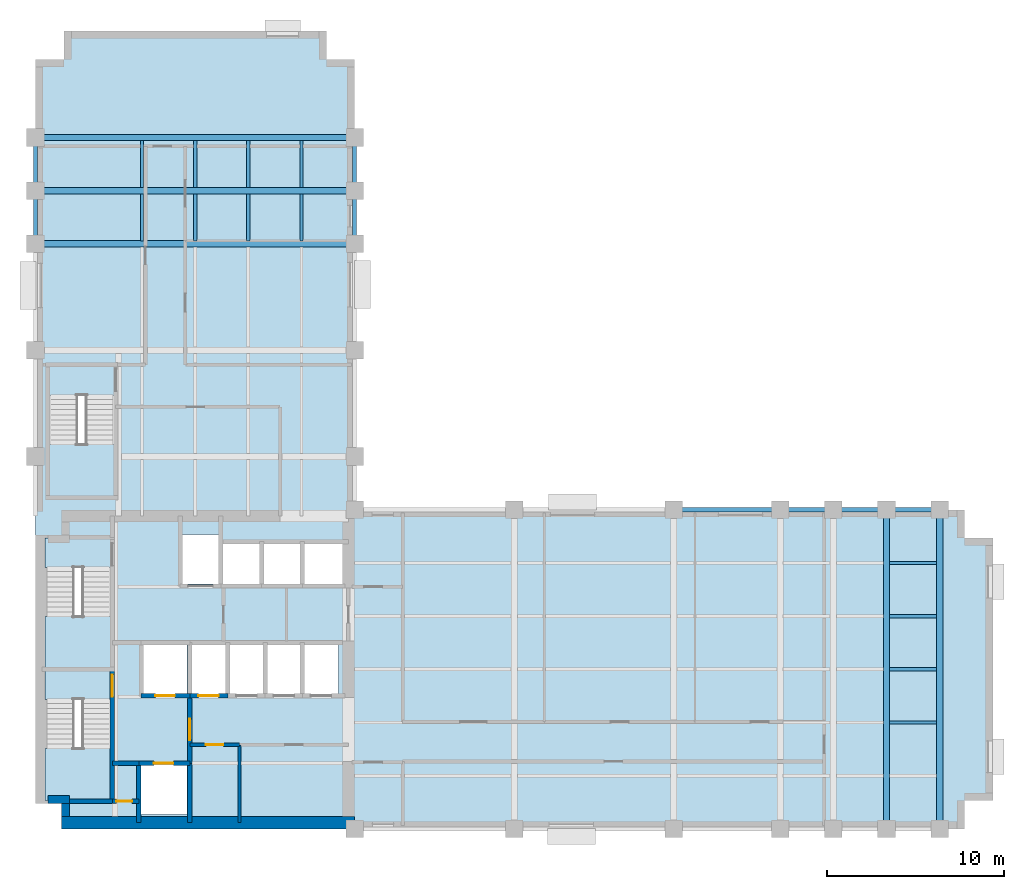
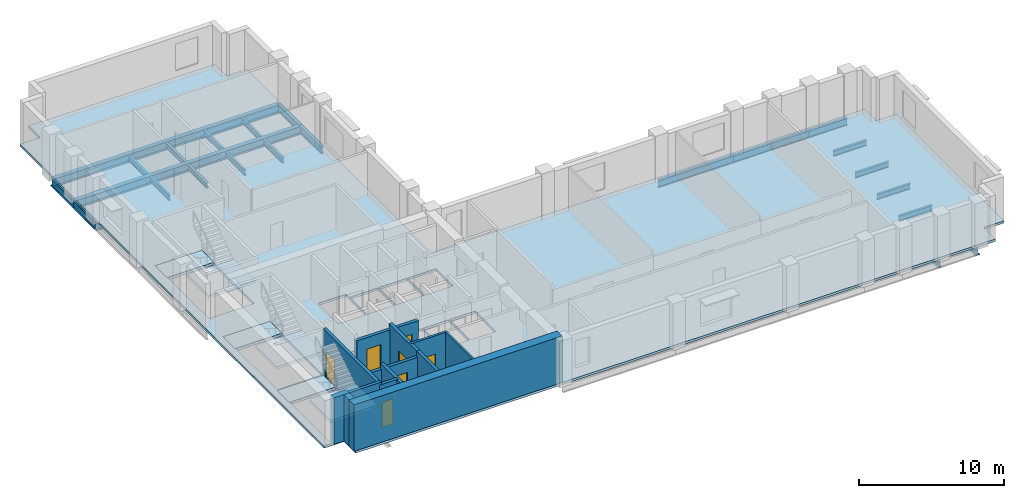
# One storey, part 2 of 8: 25 beams, 15 walls, 7 doors, 7 slabs, 7 openings, 3 elements without a shape of their own.
"""IFC4 building model written with IfcOpenShell, lengths in metres."""

from ifc_helpers import new_model, si_unit, direction, frame, frame_2d, origin, origin_2d, place, context, subcontext, project, spatial, polyline, rectangle, i_section, outline, extrude, material, layer, layer_set, material_profile, profile_set, type_object, element, fill, aggregate, save


model = new_model("IFC4")

# Units and contexts
model_context = context("Model", 3, precision=1e-05, world=origin(), true_north=direction((0.0, 1.0)))
body_context = subcontext(model_context, "Body", "Model", "MODEL_VIEW")
ifc_project = project(units=[si_unit("LENGTHUNIT", "METRE"), si_unit("AREAUNIT", "SQUARE_METRE"), si_unit("VOLUMEUNIT", "CUBIC_METRE"), si_unit("PLANEANGLEUNIT", "RADIAN"), si_unit("MASSUNIT", "GRAM", prefix="KILO")], contexts=[model_context])

# Site, building, storey
site_placement = place(None, origin())
site = spatial("IfcSite", under=ifc_project, at=site_placement, CompositionType="ELEMENT")
building_placement = place(site_placement, origin())
building = spatial("IfcBuilding", under=site, at=building_placement, Name="Mawjdan Bourse Tower", CompositionType="ELEMENT")
storey_placement = place(building_placement, frame((0.0, 0.0, 144.0)))
storey = spatial("IfcBuildingStorey", under=building, at=storey_placement, Name="L34", CompositionType="ELEMENT", Elevation=144.0)

# Beams
ifc_material_1 = material(Name="Structural Steel S355", Category="steel")
ifc_material_profile_1 = material_profile(ifc_material_1, i_section(OverallWidth=0.35498046875, OverallDepth=0.696044921875, WebThickness=0.015380859375, FlangeThickness=0.02490234375, FilletRadius=0.019775390625, at=origin_2d()), Name="W27X146")
ifc_profile_set_1 = profile_set([ifc_material_profile_1], Name="Structural Steel S355")
beam_type_1 = type_object("IfcBeamType", Name="GRD-W27X146", PredefinedType="BEAM", material=ifc_profile_set_1)
for number, where, z_axis, x_axis, name in (
    (1, (54.0, 3.0, -0.548095703125), (0.0, 1.0, 0.0), (-1.0, 0.0, 0.0), "L34 East Wing Clear-Span Girder 006"),
    (2, (57.0, 3.0, -0.548095703125), (0.0, 1.0, 0.0), (-1.0, 0.0, 0.0), "L34 East Wing Clear-Span Girder 007"),
    (3, (6.0, 36.0, -0.548095703125), (1.0, 0.0, 0.0), (0.0, 1.0, 0.0), "L34 North Wing Clear-Span Girder 057"),
    (4, (6.0, 39.0, -0.548095703125), (1.0, 0.0, 0.0), (0.0, 1.0, 0.0), "L34 North Wing Clear-Span Girder 058"),
    (5, (6.0, 42.0, -0.548095703125), (1.0, 0.0, 0.0), (0.0, 1.0, 0.0), "L34 North Wing Clear-Span Girder 059"),
):
    element("IfcBeam", number, at=place(storey_placement, frame(where, z_axis=z_axis, x_axis=x_axis)), inside=storey, type_object=beam_type_1, Name=name, PredefinedType="BEAM", context=body_context, shape_type="SweptSolid", body=[
        extrude(i_section(OverallWidth=0.35498046875, OverallDepth=0.696044921875, WebThickness=0.015380859375, FlangeThickness=0.02490234375, FilletRadius=0.019775390625, at=origin_2d()), origin(), (0.0, 0.0, 1.0), 18.0),
    ])
ifc_material_profile_2 = material_profile(ifc_material_1, i_section(OverallWidth=0.18994140625, OverallDepth=0.45703125, WebThickness=0.009033203125, FlangeThickness=0.014404296875, FilletRadius=0.01171875, at=origin_2d()), Name="W18X50")
ifc_profile_set_2 = profile_set([ifc_material_profile_2], Name="Structural Steel S355")
beam_type_2 = type_object("IfcBeamType", Name="JST-W18X50", PredefinedType="JOIST", material=ifc_profile_set_2)
for number, where, z_axis, x_axis, name in (
    (6, (54.175537109375, 9.0, -0.428466796875), (1.0, 0.0, 0.0), (0.0, 1.0, 0.0), "L34 East Wing Composite Joist 031"),
    (7, (54.175537109375, 12.0, -0.428466796875), (1.0, 0.0, 0.0), (0.0, 1.0, 0.0), "L34 East Wing Composite Joist 037"),
    (8, (54.175537109375, 15.0, -0.428466796875), (1.0, 0.0, 0.0), (0.0, 1.0, 0.0), "L34 East Wing Composite Joist 043"),
    (9, (54.175537109375, 18.0, -0.428466796875), (1.0, 0.0, 0.0), (0.0, 1.0, 0.0), "L34 East Wing Composite Joist 049"),
    (10, (12.0, 36.175537109375, -0.428466796875), (0.0, 1.0, 0.0), (-1.0, 0.0, 0.0), "L34 North Wing Composite Joist 073"),
    (11, (12.0, 39.175537109375, -0.428466796875), (0.0, 1.0, 0.0), (-1.0, 0.0, 0.0), "L34 North Wing Composite Joist 074"),
    (12, (15.0, 36.175537109375, -0.428466796875), (0.0, 1.0, 0.0), (-1.0, 0.0, 0.0), "L34 North Wing Composite Joist 078"),
    (13, (15.0, 39.175537109375, -0.428466796875), (0.0, 1.0, 0.0), (-1.0, 0.0, 0.0), "L34 North Wing Composite Joist 079"),
    (14, (18.0, 36.175537109375, -0.428466796875), (0.0, 1.0, 0.0), (-1.0, 0.0, 0.0), "L34 North Wing Composite Joist 083"),
    (15, (18.0, 39.175537109375, -0.428466796875), (0.0, 1.0, 0.0), (-1.0, 0.0, 0.0), "L34 North Wing Composite Joist 084"),
    (16, (21.0, 36.175537109375, -0.428466796875), (0.0, 1.0, 0.0), (-1.0, 0.0, 0.0), "L34 North Wing Composite Joist 088"),
    (17, (21.0, 39.175537109375, -0.428466796875), (0.0, 1.0, 0.0), (-1.0, 0.0, 0.0), "L34 North Wing Composite Joist 089"),
):
    element("IfcBeam", number, at=place(storey_placement, frame(where, z_axis=z_axis, x_axis=x_axis)), inside=storey, type_object=beam_type_2, Name=name, PredefinedType="JOIST", context=body_context, shape_type="SweptSolid", body=[
        extrude(i_section(OverallWidth=0.18994140625, OverallDepth=0.45703125, WebThickness=0.009033203125, FlangeThickness=0.014404296875, FilletRadius=0.01171875, at=origin_2d()), origin(), (0.0, 0.0, 1.0), 2.64892578125),
    ])
ifc_material_profile_3 = material_profile(ifc_material_1, i_section(OverallWidth=0.22998046875, OverallDepth=0.616943359375, WebThickness=0.01318359375, FlangeThickness=0.022216796875, FilletRadius=0.017822265625, at=origin_2d()), Name="W24X94")
ifc_profile_set_3 = profile_set([ifc_material_profile_3], Name="Structural Steel S355")
beam_type_3 = type_object("IfcBeamType", Name="SPN-W24X94", PredefinedType="SPANDREL", material=ifc_profile_set_3)
beam_placement = place(storey_placement, frame((42.0, 21.0, -0.508544921875), z_axis=(1.0, 0.0, 0.0), x_axis=(0.0, 1.0, 0.0)))
element("IfcBeam", 18, at=beam_placement, inside=storey, type_object=beam_type_3, Name="L34 Perimeter Masonry-Shelf Spandrel 016", PredefinedType="SPANDREL", context=body_context, shape_type="SweptSolid", body=[
    extrude(i_section(OverallWidth=0.22998046875, OverallDepth=0.616943359375, WebThickness=0.01318359375, FlangeThickness=0.022216796875, FilletRadius=0.017822265625, at=origin_2d()), origin(), (0.0, 0.0, 1.0), 6.0),
])
for number, where, z_axis, x_axis, name in (
    (19, (48.0, 21.0, -0.508544921875), (1.0, 0.0, 0.0), (0.0, 1.0, 0.0), "L34 Perimeter Masonry-Shelf Spandrel 017"),
    (20, (51.0, 21.0, -0.508544921875), (1.0, 0.0, 0.0), (0.0, 1.0, 0.0), "L34 Perimeter Masonry-Shelf Spandrel 018"),
    (21, (54.0, 21.0, -0.508544921875), (1.0, 0.0, 0.0), (0.0, 1.0, 0.0), "L34 Perimeter Masonry-Shelf Spandrel 019"),
    (22, (6.0, 36.0, -0.508544921875), (0.0, 1.0, 0.0), (-1.0, 0.0, 0.0), "L34 North Wing Spandrel 063"),
    (23, (6.0, 39.0, -0.508544921875), (0.0, 1.0, 0.0), (-1.0, 0.0, 0.0), "L34 North Wing Spandrel 064"),
    (24, (24.0, 36.0, -0.508544921875), (0.0, 1.0, 0.0), (-1.0, 0.0, 0.0), "L34 North Wing Spandrel 068"),
    (25, (24.0, 39.0, -0.508544921875), (0.0, 1.0, 0.0), (-1.0, 0.0, 0.0), "L34 North Wing Spandrel 069"),
):
    element("IfcBeam", number, at=place(storey_placement, frame(where, z_axis=z_axis, x_axis=x_axis)), inside=storey, type_object=beam_type_3, Name=name, PredefinedType="SPANDREL", context=body_context, shape_type="SweptSolid", body=[
        extrude(i_section(OverallWidth=0.22998046875, OverallDepth=0.616943359375, WebThickness=0.01318359375, FlangeThickness=0.022216796875, FilletRadius=0.017822265625, at=origin_2d()), origin(), (0.0, 0.0, 1.0), 3.0),
    ])

# Stair, slabs
ifc_material_2 = material(Name="Concrete C50/60", Category="concrete")
stair_type = type_object("IfcStairType", Name="STR-CORE-1500", PredefinedType="HALF_TURN_STAIR", material=ifc_material_2)
stair_1_placement = place(storey_placement, origin())
stair_1 = element("IfcStair", 26, at=stair_1_placement, inside=storey, type_object=stair_type, Name="L34 Exit Stair 1 (Core South-West)", PredefinedType="HALF_TURN_STAIR")
ifc_layer_1 = layer(ifc_material_2, 0.22998046875)
ifc_layer_set_1 = layer_set([ifc_layer_1], Name="Concrete C50/60")
slab_type_1 = type_object("IfcSlabType", Name="SL-LND-230", PredefinedType="LANDING", material=ifc_layer_set_1)
slab_1_placement = place(storey_placement, frame((0.0, 0.0, -0.22998046875)))
slab_1 = element("IfcSlab", 27, at=slab_1_placement, type_object=slab_type_1, Name="ST1-L34 landing 1", PredefinedType="LANDING", context=body_context, shape_type="SweptSolid", body=[
    extrude(outline(polyline([(6.5400390625, 10.31005859375), (10.260009765625, 10.31005859375), (10.260009765625, 11.969970703125), (6.5400390625, 11.969970703125), (6.5400390625, 10.31005859375)])), origin(), (0.0, 0.0, 1.0), 0.22998046875),
])
slab_2_placement = place(storey_placement, frame((0.0, 0.0, 1.719970703125)))
slab_2 = element("IfcSlab", 28, at=slab_2_placement, type_object=slab_type_1, Name="ST1-L34 landing 2", PredefinedType="LANDING", context=body_context, shape_type="SweptSolid", body=[
    extrude(outline(polyline([(6.5400390625, 4.590087890625), (10.260009765625, 4.590087890625), (10.260009765625, 7.5400390625), (6.5400390625, 7.5400390625), (6.5400390625, 4.590087890625)])), origin(), (0.0, 0.0, 1.0), 0.22998046875),
])
aggregate(stair_1, [slab_1, slab_2])

stair_2_placement = place(storey_placement, origin())
stair_2 = element("IfcStair", 29, at=stair_2_placement, inside=storey, type_object=stair_type, Name="L34 Exit Stair 2 (Core North-West)", PredefinedType="HALF_TURN_STAIR")
slab_3_placement = place(storey_placement, frame((0.0, 0.0, -0.22998046875)))
slab_3 = element("IfcSlab", 30, at=slab_3_placement, type_object=slab_type_1, Name="ST2-L34 landing 1", PredefinedType="LANDING", context=body_context, shape_type="SweptSolid", body=[
    extrude(outline(polyline([(6.5400390625, 17.75), (10.260009765625, 17.75), (10.260009765625, 19.409912109375), (6.5400390625, 19.409912109375), (6.5400390625, 17.75)])), origin(), (0.0, 0.0, 1.0), 0.22998046875),
])
slab_4_placement = place(storey_placement, frame((0.0, 0.0, 1.719970703125)))
slab_4 = element("IfcSlab", 31, at=slab_4_placement, type_object=slab_type_1, Name="ST2-L34 landing 2", PredefinedType="LANDING", context=body_context, shape_type="SweptSolid", body=[
    extrude(outline(polyline([(6.5400390625, 12.030029296875), (10.260009765625, 12.030029296875), (10.260009765625, 14.97998046875), (6.5400390625, 14.97998046875), (6.5400390625, 12.030029296875)])), origin(), (0.0, 0.0, 1.0), 0.22998046875),
])
aggregate(stair_2, [slab_3, slab_4])

stair_3_placement = place(storey_placement, origin())
stair_3 = element("IfcStair", 32, at=stair_3_placement, inside=storey, type_object=stair_type, Name="L34 Exit Stair 3 (North Wing)", PredefinedType="HALF_TURN_STAIR")
slab_5_placement = place(storey_placement, frame((0.0, 0.0, -0.22998046875)))
slab_5 = element("IfcSlab", 33, at=slab_5_placement, type_object=slab_type_1, Name="ST3-L34 landing 1", PredefinedType="LANDING", context=body_context, shape_type="SweptSolid", body=[
    extrude(outline(polyline([(6.739990234375, 27.4599609375), (10.4599609375, 27.4599609375), (10.4599609375, 29.1201171875), (6.739990234375, 29.1201171875), (6.739990234375, 27.4599609375)])), origin(), (0.0, 0.0, 1.0), 0.22998046875),
])
slab_6_placement = place(storey_placement, frame((0.0, 0.0, 1.719970703125)))
slab_6 = element("IfcSlab", 34, at=slab_6_placement, type_object=slab_type_1, Name="ST3-L34 landing 2", PredefinedType="LANDING", context=body_context, shape_type="SweptSolid", body=[
    extrude(outline(polyline([(6.739990234375, 21.739990234375), (10.4599609375, 21.739990234375), (10.4599609375, 24.68994140625), (6.739990234375, 24.68994140625), (6.739990234375, 21.739990234375)])), origin(), (0.0, 0.0, 1.0), 0.22998046875),
])
aggregate(stair_3, [slab_5, slab_6])

# Slab
ifc_layer_2 = layer(ifc_material_2, 0.199951171875)
ifc_layer_set_2 = layer_set([ifc_layer_2], Name="Concrete C50/60")
slab_type_2 = type_object("IfcSlabType", Name="SL-OFC-200", PredefinedType="FLOOR", material=ifc_layer_set_2)
slab_7_placement = place(storey_placement, frame((0.0, 0.0, -0.199951171875)))
element("IfcSlab", 35, at=slab_7_placement, inside=storey, type_object=slab_type_2, Name="L34 Structural Floor Slab 1", PredefinedType="FLOOR", context=body_context, shape_type="SweptSolid", body=[
    extrude(outline(polyline([(7.60009765625, 3.0), (58.39990234375, 3.0), (58.39990234375, 4.60009765625), (60.0, 4.60009765625), (60.0, 19.39990234375), (58.39990234375, 19.39990234375), (58.39990234375, 21.0), (24.0, 21.0), (24.0, 46.39990234375), (22.39990234375, 46.39990234375), (22.39990234375, 48.0), (7.60009765625, 48.0), (7.60009765625, 46.39990234375), (6.0, 46.39990234375), (6.0, 4.60009765625), (7.60009765625, 4.60009765625), (7.60009765625, 3.0)]), holes=[polyline([(11.949951171875, 3.800048828125), (11.949951171875, 6.60009765625), (14.550048828125, 6.60009765625), (14.550048828125, 3.800048828125), (11.949951171875, 3.800048828125)]), polyline([(6.60009765625, 10.31005859375), (6.5400390625, 10.31005859375), (6.5400390625, 11.969970703125), (10.260009765625, 11.969970703125), (10.260009765625, 10.31005859375), (10.199951171875, 10.31005859375), (10.199951171875, 4.64990234375), (6.60009765625, 4.64990234375), (6.60009765625, 10.31005859375)]), polyline([(12.050048828125, 10.60009765625), (12.050048828125, 13.39990234375), (14.550048828125, 13.39990234375), (14.550048828125, 10.60009765625), (12.050048828125, 10.60009765625)]), polyline([(10.260009765625, 19.409912109375), (10.260009765625, 17.75), (10.199951171875, 17.75), (10.199951171875, 12.090087890625), (6.60009765625, 12.090087890625), (6.60009765625, 17.75), (6.5400390625, 17.75), (6.5400390625, 19.409912109375), (10.260009765625, 19.409912109375)]), polyline([(10.4599609375, 29.1201171875), (10.4599609375, 27.4599609375), (10.39990234375, 27.4599609375), (10.39990234375, 21.800048828125), (6.800048828125, 21.800048828125), (6.800048828125, 27.4599609375), (6.739990234375, 27.4599609375), (6.739990234375, 29.1201171875), (10.4599609375, 29.1201171875)]), polyline([(14.800048828125, 10.60009765625), (14.800048828125, 13.39990234375), (16.800048828125, 13.39990234375), (16.800048828125, 10.60009765625), (14.800048828125, 10.60009765625)]), polyline([(16.89990234375, 10.60009765625), (16.89990234375, 13.39990234375), (18.89990234375, 13.39990234375), (18.89990234375, 10.60009765625), (16.89990234375, 10.60009765625)]), polyline([(19.0, 10.60009765625), (19.0, 13.39990234375), (21.0, 13.39990234375), (21.0, 10.60009765625), (19.0, 10.60009765625)]), polyline([(21.10009765625, 10.60009765625), (21.10009765625, 13.39990234375), (23.10009765625, 13.39990234375), (23.10009765625, 10.60009765625), (21.10009765625, 10.60009765625)]), polyline([(16.5, 16.800048828125), (16.5, 19.14990234375), (18.699951171875, 19.14990234375), (18.699951171875, 16.800048828125), (16.5, 16.800048828125)]), polyline([(18.800048828125, 16.800048828125), (18.800048828125, 19.14990234375), (21.0, 19.14990234375), (21.0, 16.800048828125), (18.800048828125, 16.800048828125)]), polyline([(21.10009765625, 16.800048828125), (21.10009765625, 19.14990234375), (23.300048828125, 19.14990234375), (23.300048828125, 16.800048828125), (21.10009765625, 16.800048828125)]), polyline([(14.199951171875, 16.800048828125), (14.199951171875, 19.60009765625), (16.39990234375, 19.60009765625), (16.39990234375, 16.800048828125), (14.199951171875, 16.800048828125)])]), origin(), (0.0, 0.0, 1.0), 0.199951171875),
])

# Wall, opening, door
ifc_material_3 = material(Name="Gypsum Fireboard Assembly")
ifc_layer_3 = layer(ifc_material_3, 0.199951171875)
ifc_layer_set_3 = layer_set([ifc_layer_3], Name="Gypsum Fireboard Assembly")
wall_type_1 = type_object("IfcWallType", Name="WL-CMP-200", PredefinedType="PARTITIONING", material=ifc_layer_set_3)
wall_1_placement = place(storey_placement, frame((14.699951171875, 7.739990234375, 0.0), z_axis=(0.0, 0.0, 1.0), x_axis=(1.0, 0.0, 0.0)))
wall_1 = element("IfcWall", 36, at=wall_1_placement, inside=storey, type_object=wall_type_1, Name="L34 First Aid & Wellness Room North Wall", PredefinedType="PARTITIONING", context=body_context, shape_type="SweptSolid", body=[
    extrude(rectangle(XDim=2.800048828125, YDim=0.199951171875, at=frame_2d((1.39990234375, 0.0))), origin(), (0.0, 0.0, 1.0), 3.68994140625),
])
opening_1_placement = place(wall_1_placement, frame((0.89990234375, 0.0, 0.0)))
opening_1 = element("IfcOpeningElement", 37, at=opening_1_placement, cuts=wall_1, Name="Opening D-L34-10", PredefinedType="OPENING", context=body_context, shape_type="SweptSolid", body=[
    extrude(rectangle(XDim=1.0, YDim=2.14990234375, at=frame_2d((0.5, 1.074951171875))), frame((0.0, 0.10986328125, 0.0), z_axis=(0.0, -1.0, 0.0), x_axis=(1.0, 0.0, 0.0)), (0.0, 0.0, 1.0), 0.219970703125),
])
ifc_material_4 = material(Name="Hardwood Acoustic Leaf", Category="wood")
door_type_1 = type_object("IfcDoorType", Name="DR-OFC-1000", OperationType="NOTDEFINED", PredefinedType="DOOR", material=ifc_material_4)
door_1_placement = place(opening_1_placement, origin())
door_1 = element("IfcDoor", 38, at=door_1_placement, inside=storey, type_object=door_type_1, Name="L34 First Aid & Wellness Room Door D-L34-10", OperationType="SINGLE_SWING_LEFT", OverallHeight=2.14990234375, OverallWidth=1.0, PredefinedType="DOOR", context=body_context, shape_type="SweptSolid", body=[
    extrude(rectangle(XDim=1.0, YDim=2.14990234375, at=frame_2d((0.5, 1.074951171875))), frame((0.0, 0.02490234375, 0.0), z_axis=(0.0, -1.0, 0.0), x_axis=(1.0, 0.0, 0.0)), (0.0, 0.0, 1.0), 0.050048828125),
])
fill(opening_1, door_1)

# Walls
ifc_material_5 = material(Name="Concrete C60/75", Category="concrete")
ifc_layer_4 = layer(ifc_material_5, 0.449951171875)
ifc_layer_set_4 = layer_set([ifc_layer_4], Name="Concrete C60/75")
wall_type_2 = type_object("IfcWallType", Name="WL-CORE-450", PredefinedType="SHEAR", material=ifc_layer_set_4)
wall_2_placement = place(storey_placement, frame((6.699951171875, 4.64990234375, 0.0), z_axis=(0.0, 0.0, 1.0), x_axis=(1.0, 0.0, 0.0)))
element("IfcWall", 39, at=wall_2_placement, inside=storey, type_object=wall_type_2, Name="L34 Rear Core Shear Wall SW-X", PredefinedType="SHEAR", context=body_context, shape_type="SweptSolid", body=[
    extrude(rectangle(XDim=1.22509765625, YDim=0.449951171875, at=frame_2d((0.612548828125, 0.0))), origin(), (0.0, 0.0, 1.0), 3.89990234375),
])
wall_3_placement = place(storey_placement, frame((7.699951171875, 3.699951171875, 0.0), z_axis=(0.0, 0.0, 1.0), x_axis=(0.0, 1.0, 0.0)))
element("IfcWall", 40, at=wall_3_placement, inside=storey, type_object=wall_type_2, Name="L34 Rear Core Shear Wall SW-Y", PredefinedType="SHEAR", context=body_context, shape_type="SweptSolid", body=[
    extrude(rectangle(XDim=0.72509765625, YDim=0.449951171875, at=frame_2d((0.362548828125, 0.0))), origin(), (0.0, 0.0, 1.0), 3.89990234375),
])
ifc_material_6 = material(Name="Concrete C70/85", Category="concrete")
ifc_layer_5 = layer(ifc_material_6, 0.699951171875)
ifc_layer_set_5 = layer_set([ifc_layer_5], Name="Concrete C70/85")
wall_type_3 = type_object("IfcWallType", Name="WL-CORE-700", PredefinedType="SHEAR", material=ifc_layer_set_5)
wall_4_placement = place(storey_placement, frame((7.47509765625, 3.35009765625, 0.0), z_axis=(0.0, 0.0, 1.0), x_axis=(1.0, 0.0, 0.0)))
element("IfcWall", 41, at=wall_4_placement, inside=storey, type_object=wall_type_3, Name="L34 Rear Core Shear Wall S", PredefinedType="SHEAR", context=body_context, shape_type="SweptSolid", body=[
    extrude(rectangle(XDim=16.52490234375, YDim=0.699951171875, at=frame_2d((8.262451171875, 0.0))), origin(), (0.0, 0.0, 1.0), 3.89990234375),
])
ifc_material_7 = material(Name="Gypsum Acoustic Partition")
ifc_layer_6 = layer(ifc_material_7, 0.14990234375)
ifc_layer_set_6 = layer_set([ifc_layer_6], Name="Gypsum Acoustic Partition")
wall_type_4 = type_object("IfcWallType", Name="WL-PRT-150", PredefinedType="PARTITIONING", material=ifc_layer_set_6)
wall_5_placement = place(storey_placement, frame((17.5, 3.35009765625, 0.0), z_axis=(0.0, 0.0, 1.0), x_axis=(0.0, 1.0, 0.0)))
element("IfcWall", 42, at=wall_5_placement, inside=storey, type_object=wall_type_4, Name="L34 Reprographics & Pantry Suite Core Split Wall", PredefinedType="PARTITIONING", context=body_context, shape_type="SweptSolid", body=[
    extrude(rectangle(XDim=4.389892578125, YDim=0.14990234375, at=frame_2d((2.19482421875, 0.0))), origin(), (0.0, 0.0, 1.0), 3.68994140625),
])

# Wall, opening, door
ifc_layer_7 = layer(ifc_material_2, 0.25)
ifc_layer_set_7 = layer_set([ifc_layer_7], Name="Concrete C50/60")
wall_type_5 = type_object("IfcWallType", Name="WL-SHFT-250", PredefinedType="PARTITIONING", material=ifc_layer_set_7)
wall_6_placement = place(storey_placement, frame((10.330078125, 4.550048828125, 0.0), z_axis=(0.0, 0.0, 1.0), x_axis=(1.0, 0.0, 0.0)))
wall_6 = element("IfcWall", 43, at=wall_6_placement, inside=storey, type_object=wall_type_5, Name="L34 SW Riser North Wall", PredefinedType="PARTITIONING", context=body_context, shape_type="SweptSolid", body=[
    extrude(rectangle(XDim=1.489990234375, YDim=0.25, at=frame_2d((0.7451171875, 0.0))), origin(), (0.0, 0.0, 1.0), 3.68994140625),
])
opening_2_placement = place(wall_6_placement, frame((0.219970703125, 0.0, 0.0)))
opening_2 = element("IfcOpeningElement", 44, at=opening_2_placement, cuts=wall_6, Name="Opening RD-L34-03", PredefinedType="OPENING", context=body_context, shape_type="SweptSolid", body=[
    extrude(rectangle(XDim=0.89990234375, YDim=2.10009765625, at=frame_2d((0.449951171875, 1.050048828125))), frame((0.0, 0.135009765625, 0.0), z_axis=(0.0, -1.0, 0.0), x_axis=(1.0, 0.0, 0.0)), (0.0, 0.0, 1.0), 0.27001953125),
])
ifc_material_8 = material(Name="Fire-Rated Steel Access Leaf", Category="steel")
door_type_2 = type_object("IfcDoorType", Name="FD-RSR-0900", OperationType="NOTDEFINED", PredefinedType="TRAPDOOR", material=ifc_material_8)
door_2_placement = place(opening_2_placement, origin())
door_2 = element("IfcDoor", 45, at=door_2_placement, inside=storey, type_object=door_type_2, Name="L34 Electrical Riser Access Door RD-L34-03", OperationType="SINGLE_SWING_LEFT", OverallHeight=2.10009765625, OverallWidth=0.89990234375, PredefinedType="TRAPDOOR", context=body_context, shape_type="SweptSolid", body=[
    extrude(rectangle(XDim=0.89990234375, YDim=2.10009765625, at=frame_2d((0.449951171875, 1.050048828125))), frame((0.0, 0.02490234375, 0.0), z_axis=(0.0, -1.0, 0.0), x_axis=(1.0, 0.0, 0.0)), (0.0, 0.0, 1.0), 0.050048828125),
])
fill(opening_2, door_2)

# Wall
wall_7_placement = place(storey_placement, frame((11.820068359375, 3.35009765625, 0.0), z_axis=(0.0, 0.0, 1.0), x_axis=(0.0, 1.0, 0.0)))
element("IfcWall", 46, at=wall_7_placement, inside=storey, type_object=wall_type_5, Name="L34 SW Riser & FFL01 West Wall", PredefinedType="PARTITIONING", context=body_context, shape_type="SweptSolid", body=[
    extrude(rectangle(XDim=3.349853515625, YDim=0.25, at=frame_2d((1.6748046875, 0.0))), origin(), (0.0, 0.0, 1.0), 3.68994140625),
])

# Wall, opening, door
wall_8_placement = place(storey_placement, frame((11.820068359375, 6.699951171875, 0.0), z_axis=(0.0, 0.0, 1.0), x_axis=(1.0, 0.0, 0.0)))
wall_8 = element("IfcWall", 47, at=wall_8_placement, inside=storey, type_object=wall_type_5, Name="L34 FFL-01 Front Shaft Wall", PredefinedType="PARTITIONING", context=body_context, shape_type="SweptSolid", body=[
    extrude(rectangle(XDim=2.8798828125, YDim=0.25, at=frame_2d((1.43994140625, 0.0))), origin(), (0.0, 0.0, 1.0), 3.23291015625),
])
opening_3_placement = place(wall_8_placement, frame((0.85009765625, 0.0, 0.0)))
opening_3 = element("IfcOpeningElement", 48, at=opening_3_placement, cuts=wall_8, Name="Opening LD-L34-05", PredefinedType="OPENING", context=body_context, shape_type="SweptSolid", body=[
    extrude(rectangle(XDim=1.10009765625, YDim=2.25, at=frame_2d((0.550048828125, 1.125))), frame((0.0, 0.135009765625, 0.0), z_axis=(0.0, -1.0, 0.0), x_axis=(1.0, 0.0, 0.0)), (0.0, 0.0, 1.0), 0.27001953125),
])
ifc_material_9 = material(Name="Brushed Stainless Steel", Category="steel")
door_type_3 = type_object("IfcDoorType", Name="LD-FFL-1100", OperationType="DOUBLE_DOOR_SLIDING", PredefinedType="DOOR", material=ifc_material_9)
door_3_placement = place(opening_3_placement, origin())
door_3 = element("IfcDoor", 49, at=door_3_placement, inside=storey, type_object=door_type_3, Name="L34 Firefighting Lift FFL-01 Landing Door LD-L34-05", OperationType="DOUBLE_DOOR_SLIDING", OverallHeight=2.25, OverallWidth=1.10009765625, PredefinedType="DOOR", context=body_context, shape_type="SweptSolid", body=[
    extrude(rectangle(XDim=1.10009765625, YDim=2.25, at=frame_2d((0.550048828125, 1.125))), frame((0.0, 0.02490234375, 0.0), z_axis=(0.0, -1.0, 0.0), x_axis=(1.0, 0.0, 0.0)), (0.0, 0.0, 1.0), 0.050048828125),
])
fill(opening_3, door_3)

# Wall
wall_9_placement = place(storey_placement, frame((14.699951171875, 3.35009765625, 0.0), z_axis=(0.0, 0.0, 1.0), x_axis=(0.0, 1.0, 0.0)))
element("IfcWall", 50, at=wall_9_placement, inside=storey, type_object=wall_type_5, Name="L34 FFL-01 East Shaft Wall", PredefinedType="PARTITIONING", context=body_context, shape_type="SweptSolid", body=[
    extrude(rectangle(XDim=3.349853515625, YDim=0.25, at=frame_2d((1.6748046875, 0.0))), origin(), (0.0, 0.0, 1.0), 3.68994140625),
])

# Wall, opening, door
wall_10_placement = place(storey_placement, frame((11.949951171875, 10.5, 0.0), z_axis=(0.0, 0.0, 1.0), x_axis=(1.0, 0.0, 0.0)))
wall_10 = element("IfcWall", 51, at=wall_10_placement, inside=storey, type_object=wall_type_5, Name="L34 FFL-02 Front Shaft Wall", PredefinedType="PARTITIONING", context=body_context, shape_type="SweptSolid", body=[
    extrude(rectangle(XDim=2.75, YDim=0.25, at=frame_2d((1.375, 0.0))), origin(), (0.0, 0.0, 1.0), 3.23291015625),
])
opening_4_placement = place(wall_10_placement, frame((0.800048828125, 0.0, 0.0)))
opening_4 = element("IfcOpeningElement", 52, at=opening_4_placement, cuts=wall_10, Name="Opening LD-L34-06", PredefinedType="OPENING", context=body_context, shape_type="SweptSolid", body=[
    extrude(rectangle(XDim=1.10009765625, YDim=2.25, at=frame_2d((0.550048828125, 1.125))), frame((0.0, 0.135009765625, 0.0), z_axis=(0.0, -1.0, 0.0), x_axis=(1.0, 0.0, 0.0)), (0.0, 0.0, 1.0), 0.27001953125),
])
door_4_placement = place(opening_4_placement, origin())
door_4 = element("IfcDoor", 53, at=door_4_placement, inside=storey, type_object=door_type_3, Name="L34 Firefighting Lift FFL-02 Landing Door LD-L34-06", OperationType="DOUBLE_DOOR_SLIDING", OverallHeight=2.25, OverallWidth=1.10009765625, PredefinedType="DOOR", context=body_context, shape_type="SweptSolid", body=[
    extrude(rectangle(XDim=1.10009765625, YDim=2.25, at=frame_2d((0.550048828125, 1.125))), frame((0.0, 0.02490234375, 0.0), z_axis=(0.0, -1.0, 0.0), x_axis=(1.0, 0.0, 0.0)), (0.0, 0.0, 1.0), 0.050048828125),
])
fill(opening_4, door_4)

wall_11_placement = place(storey_placement, frame((14.699951171875, 6.699951171875, 0.0), z_axis=(0.0, 0.0, 1.0), x_axis=(0.0, 1.0, 0.0)))
wall_11 = element("IfcWall", 54, at=wall_11_placement, inside=storey, type_object=wall_type_5, Name="L34 Firefighting Lobby East Compartment Wall", PredefinedType="PARTITIONING", context=body_context, shape_type="SweptSolid", body=[
    extrude(rectangle(XDim=3.800048828125, YDim=0.25, at=frame_2d((1.89990234375, 0.0))), origin(), (0.0, 0.0, 1.0), 3.68994140625),
])
opening_5_placement = place(wall_11_placement, frame((1.300048828125, 0.0, 0.0)))
opening_5 = element("IfcOpeningElement", 55, at=opening_5_placement, cuts=wall_11, Name="Opening FD-L34-07", PredefinedType="OPENING", context=body_context, shape_type="SweptSolid", body=[
    extrude(rectangle(XDim=1.199951171875, YDim=2.199951171875, at=frame_2d((0.60009765625, 1.10009765625))), frame((0.0, 0.135009765625, 0.0), z_axis=(0.0, -1.0, 0.0), x_axis=(1.0, 0.0, 0.0)), (0.0, 0.0, 1.0), 0.27001953125),
])
ifc_material_10 = material(Name="Fire-Rated Steel Leaf", Category="steel")
door_type_4 = type_object("IfcDoorType", Name="FD-FFL-1200", OperationType="NOTDEFINED", PredefinedType="DOOR", material=ifc_material_10)
door_5_placement = place(opening_5_placement, origin())
door_5 = element("IfcDoor", 56, at=door_5_placement, inside=storey, type_object=door_type_4, Name="L34 Firefighting Lobby East Smoke Door FD-L34-07", OperationType="SINGLE_SWING_LEFT", OverallHeight=2.199951171875, OverallWidth=1.199951171875, PredefinedType="DOOR", context=body_context, shape_type="SweptSolid", body=[
    extrude(rectangle(XDim=1.199951171875, YDim=2.199951171875, at=frame_2d((0.60009765625, 1.10009765625))), frame((0.0, 0.02490234375, 0.0), z_axis=(0.0, -1.0, 0.0), x_axis=(1.0, 0.0, 0.0)), (0.0, 0.0, 1.0), 0.050048828125),
])
fill(opening_5, door_5)

# Wall
wall_12_placement = place(storey_placement, frame((10.330078125, 6.699951171875, 0.0), z_axis=(0.0, 0.0, 1.0), x_axis=(1.0, 0.0, 0.0)))
element("IfcWall", 57, at=wall_12_placement, inside=storey, type_object=wall_type_5, Name="L34 Firefighting Lobby South Closure Wall", PredefinedType="PARTITIONING", context=body_context, shape_type="SweptSolid", body=[
    extrude(rectangle(XDim=1.489990234375, YDim=0.25, at=frame_2d((0.7451171875, 0.0))), origin(), (0.0, 0.0, 1.0), 3.23291015625),
])

# Wall, opening, door
wall_13_placement = place(storey_placement, frame((14.699951171875, 10.5, 0.0), z_axis=(0.0, 0.0, 1.0), x_axis=(1.0, 0.0, 0.0)))
wall_13 = element("IfcWall", 58, at=wall_13_placement, inside=storey, type_object=wall_type_5, Name="L34 PM-01 Front Wall", PredefinedType="PARTITIONING", context=body_context, shape_type="SweptSolid", body=[
    extrude(rectangle(XDim=2.150146484375, YDim=0.25, at=frame_2d((1.0751953125, 0.0))), origin(), (0.0, 0.0, 1.0), 3.23291015625),
])
opening_6_placement = place(wall_13_placement, frame((0.47998046875, 0.0, 0.0)))
opening_6 = element("IfcOpeningElement", 59, at=opening_6_placement, cuts=wall_13, Name="Opening LD-L34-12", PredefinedType="OPENING", context=body_context, shape_type="SweptSolid", body=[
    extrude(rectangle(XDim=1.14990234375, YDim=2.25, at=frame_2d((0.574951171875, 1.125))), frame((0.0, 0.135009765625, 0.0), z_axis=(0.0, -1.0, 0.0), x_axis=(1.0, 0.0, 0.0)), (0.0, 0.0, 1.0), 0.27001953125),
])
door_type_5 = type_object("IfcDoorType", Name="LD-PAS-1150", OperationType="DOUBLE_DOOR_SLIDING", PredefinedType="DOOR", material=ifc_material_9)
door_6_placement = place(opening_6_placement, origin())
door_6 = element("IfcDoor", 60, at=door_6_placement, inside=storey, type_object=door_type_5, Name="L34 Lift PM-01 Landing Door LD-L34-12", OperationType="DOUBLE_DOOR_SLIDING", OverallHeight=2.25, OverallWidth=1.14990234375, PredefinedType="DOOR", context=body_context, shape_type="SweptSolid", body=[
    extrude(rectangle(XDim=1.14990234375, YDim=2.25, at=frame_2d((0.574951171875, 1.125))), frame((0.0, 0.02490234375, 0.0), z_axis=(0.0, -1.0, 0.0), x_axis=(1.0, 0.0, 0.0)), (0.0, 0.0, 1.0), 0.050048828125),
])
fill(opening_6, door_6)

# Wall
ifc_layer_8 = layer(ifc_material_2, 0.25)
ifc_layer_set_8 = layer_set([ifc_layer_8], Name="Concrete C50/60")
wall_type_6 = type_object("IfcWallType", Name="WL-STRW-250", PredefinedType="SHEAR", material=ifc_layer_set_8)
wall_14_placement = place(storey_placement, frame((7.699951171875, 4.550048828125, 0.0), z_axis=(0.0, 0.0, 1.0), x_axis=(1.0, 0.0, 0.0)))
element("IfcWall", 61, at=wall_14_placement, inside=storey, type_object=wall_type_6, Name="L34 Stairwell ST1 South Shaft Wall", PredefinedType="SHEAR", context=body_context, shape_type="SweptSolid", body=[
    extrude(rectangle(XDim=2.755126953125, YDim=0.25, at=frame_2d((1.37744140625, 0.0))), origin(), (0.0, 0.0, 1.0), 3.89990234375),
])

# Wall, opening, door
wall_15_placement = place(storey_placement, frame((10.330078125, 4.550048828125, 0.0), z_axis=(0.0, 0.0, 1.0), x_axis=(0.0, 1.0, 0.0)))
wall_15 = element("IfcWall", 62, at=wall_15_placement, inside=storey, type_object=wall_type_6, Name="L34 Stairwell ST1 East Enclosure Wall", PredefinedType="SHEAR", context=body_context, shape_type="SweptSolid", body=[
    extrude(rectangle(XDim=7.449951171875, YDim=0.25, at=frame_2d((3.72509765625, 0.0))), origin(), (0.0, 0.0, 1.0), 3.89990234375),
])
opening_7_placement = place(wall_15_placement, frame((5.89990234375, 0.0, 0.0)))
opening_7 = element("IfcOpeningElement", 63, at=opening_7_placement, cuts=wall_15, Name="Opening SD-L34-01", PredefinedType="OPENING", context=body_context, shape_type="SweptSolid", body=[
    extrude(rectangle(XDim=1.25, YDim=2.199951171875, at=frame_2d((0.625, 1.10009765625))), frame((0.0, 0.135009765625, 0.0), z_axis=(0.0, -1.0, 0.0), x_axis=(1.0, 0.0, 0.0)), (0.0, 0.0, 1.0), 0.27001953125),
])
door_type_6 = type_object("IfcDoorType", Name="FD-ST-1250", OperationType="NOTDEFINED", PredefinedType="DOOR", material=ifc_material_10)
door_7_placement = place(opening_7_placement, origin())
door_7 = element("IfcDoor", 64, at=door_7_placement, inside=storey, type_object=door_type_6, Name="L34 Exit Stair ST1 Fire Door SD-L34-01", OperationType="SINGLE_SWING_LEFT", OverallHeight=2.199951171875, OverallWidth=1.25, PredefinedType="DOOR", context=body_context, shape_type="SweptSolid", body=[
    extrude(rectangle(XDim=1.25, YDim=2.199951171875, at=frame_2d((0.625, 1.10009765625))), frame((0.0, 0.02490234375, 0.0), z_axis=(0.0, -1.0, 0.0), x_axis=(1.0, 0.0, 0.0)), (0.0, 0.0, 1.0), 0.050048828125),
])
fill(opening_7, door_7)

save(model, "model.ifc")
